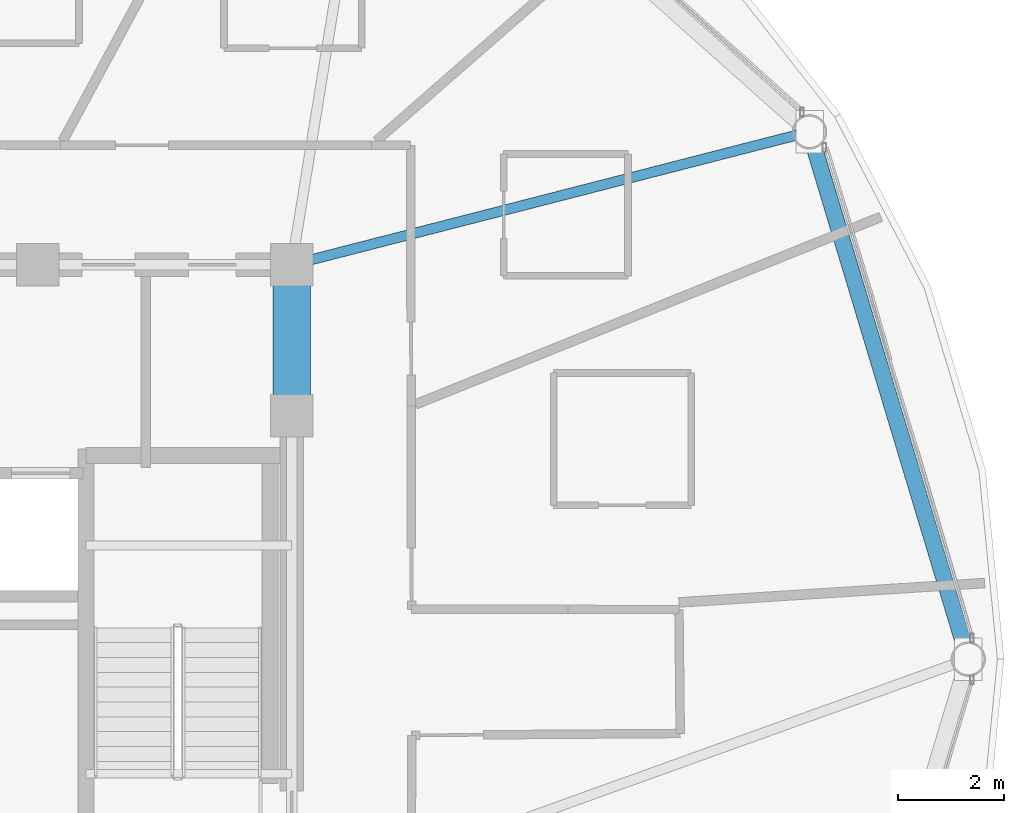
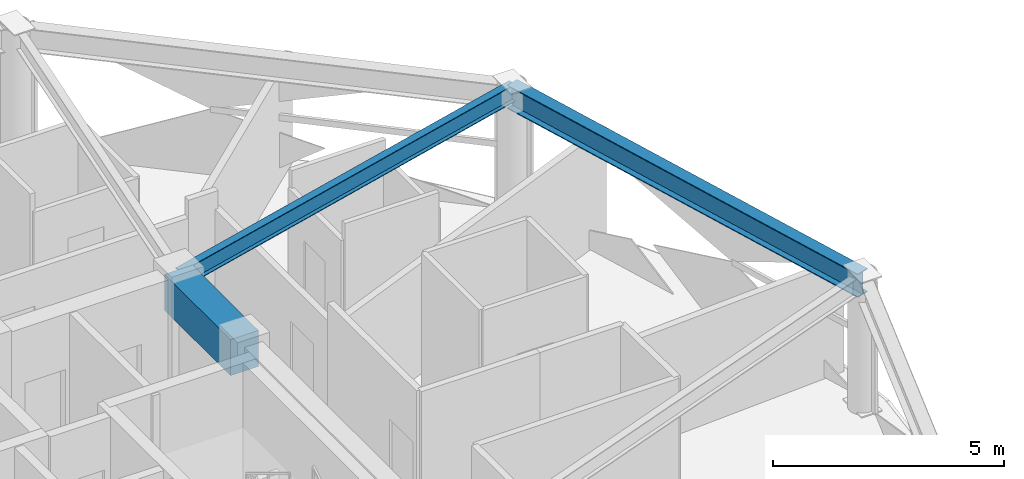
# One storey, part 15 of 30: 3 beams.
"""IFC4 building model written with IfcOpenShell, lengths in metres."""

from ifc_helpers import new_model, si_unit, direction, frame, origin, origin_2d, place, context, subcontext, project, spatial, rectangle, i_section, extrude, material, material_profile, profile_set, type_object, element, save


model = new_model("IFC4")

# Units and contexts
model_context = context("Model", 3, precision=1e-05, world=origin(), true_north=direction((0.0, 1.0)))
body_context = subcontext(model_context, "Body", "Model", "MODEL_VIEW")
ifc_project = project(units=[si_unit("LENGTHUNIT", "METRE"), si_unit("AREAUNIT", "SQUARE_METRE"), si_unit("VOLUMEUNIT", "CUBIC_METRE"), si_unit("PLANEANGLEUNIT", "RADIAN"), si_unit("MASSUNIT", "GRAM", prefix="KILO")], contexts=[model_context])

# Site, building, storey
site_placement = place(None, origin())
site = spatial("IfcSite", under=ifc_project, at=site_placement, CompositionType="ELEMENT")
building_placement = place(site_placement, origin())
building = spatial("IfcBuilding", under=site, at=building_placement, Name="Vantalir Tower", CompositionType="ELEMENT")
storey_placement = place(building_placement, frame((0.0, 0.0, 201.14990234375)))
storey = spatial("IfcBuildingStorey", under=building, at=storey_placement, Name="L50", CompositionType="ELEMENT", Elevation=201.14990234375)

# Beams
ifc_material_1 = material(Name="Concrete C60/75", Category="concrete")
ifc_material_profile_1 = material_profile(ifc_material_1, rectangle(XDim=0.699951171875, YDim=0.949951171875, at=origin_2d()), Name="Concrete C60/75")
ifc_profile_set_1 = profile_set([ifc_material_profile_1], Name="Concrete C60/75")
beam_type_1 = type_object("IfcBeamType", Name="BM-CB-700x950", PredefinedType="USERDEFINED", material=ifc_profile_set_1)
beam_1_placement = place(storey_placement, frame((41.10009765625, 29.60009765625, 3.09521484375), z_axis=(0.0, 1.0, 0.0), x_axis=(-1.0, 0.0, 0.0)))
element("IfcBeam", 1, at=beam_1_placement, inside=storey, type_object=beam_type_1, Name="L50 Core Coupling Girder 07", ObjectType="GIRDER", PredefinedType="USERDEFINED", context=body_context, shape_type="SweptSolid", body=[
    extrude(rectangle(XDim=0.699951171875, YDim=0.949951171875, at=origin_2d()), origin(), (0.0, 0.0, 1.0), 2.849853515625),
])
ifc_material_2 = material(Name="Steel S355", Category="steel")
ifc_material_profile_2 = material_profile(ifc_material_2, i_section(OverallWidth=0.19189453125, OverallDepth=0.462890625, WebThickness=0.010498046875, FlangeThickness=0.017578125, at=origin_2d()), Name="Steel S355")
ifc_profile_set_2 = profile_set([ifc_material_profile_2], Name="Steel S355")
beam_type_2 = type_object("IfcBeamType", Name="BM-RB-457x191", PredefinedType="BEAM", material=ifc_profile_set_2)
beam_2_placement = place(storey_placement, frame((50.883056640625, 34.9619140625, 3.338134765625), z_axis=(-0.968580157388, -0.24870158567, 0.0), x_axis=(0.24870158567, -0.968580157388, 0.0)))
element("IfcBeam", 2, at=beam_2_placement, inside=storey, type_object=beam_type_2, Name="L50 Radial Floor Beam 02", PredefinedType="BEAM", context=body_context, shape_type="SweptSolid", body=[
    extrude(i_section(OverallWidth=0.19189453125, OverallDepth=0.462890625, WebThickness=0.010498046875, FlangeThickness=0.017578125, at=origin_2d()), origin(), (0.0, 0.0, 1.0), 10.100341796875),
])
ifc_material_3 = material(Name="Steel S460", Category="steel")
ifc_material_profile_3 = material_profile(ifc_material_3, i_section(OverallWidth=0.306884765625, OverallDepth=0.6201171875, WebThickness=0.01416015625, FlangeThickness=0.023681640625, at=origin_2d()), Name="Steel S460")
ifc_profile_set_3 = profile_set([ifc_material_profile_3], Name="Steel S460")
beam_type_3 = type_object("IfcBeamType", Name="BM-RG-610x305", PredefinedType="USERDEFINED", material=ifc_profile_set_3)
beam_3_placement = place(storey_placement, frame((53.882080078125, 25.0, 3.260009765625), z_axis=(-0.288269210973, 0.957549404472, 0.0), x_axis=(-0.957549404472, -0.288269210973, 0.0)))
element("IfcBeam", 3, at=beam_3_placement, inside=storey, type_object=beam_type_3, Name="L50 Circumferential Ring Girder 01", ObjectType="GIRDER", PredefinedType="USERDEFINED", context=body_context, shape_type="SweptSolid", body=[
    extrude(i_section(OverallWidth=0.306884765625, OverallDepth=0.6201171875, WebThickness=0.01416015625, FlangeThickness=0.023681640625, at=origin_2d()), origin(), (0.0, 0.0, 1.0), 10.403564453125),
])

save(model, "model.ifc")
